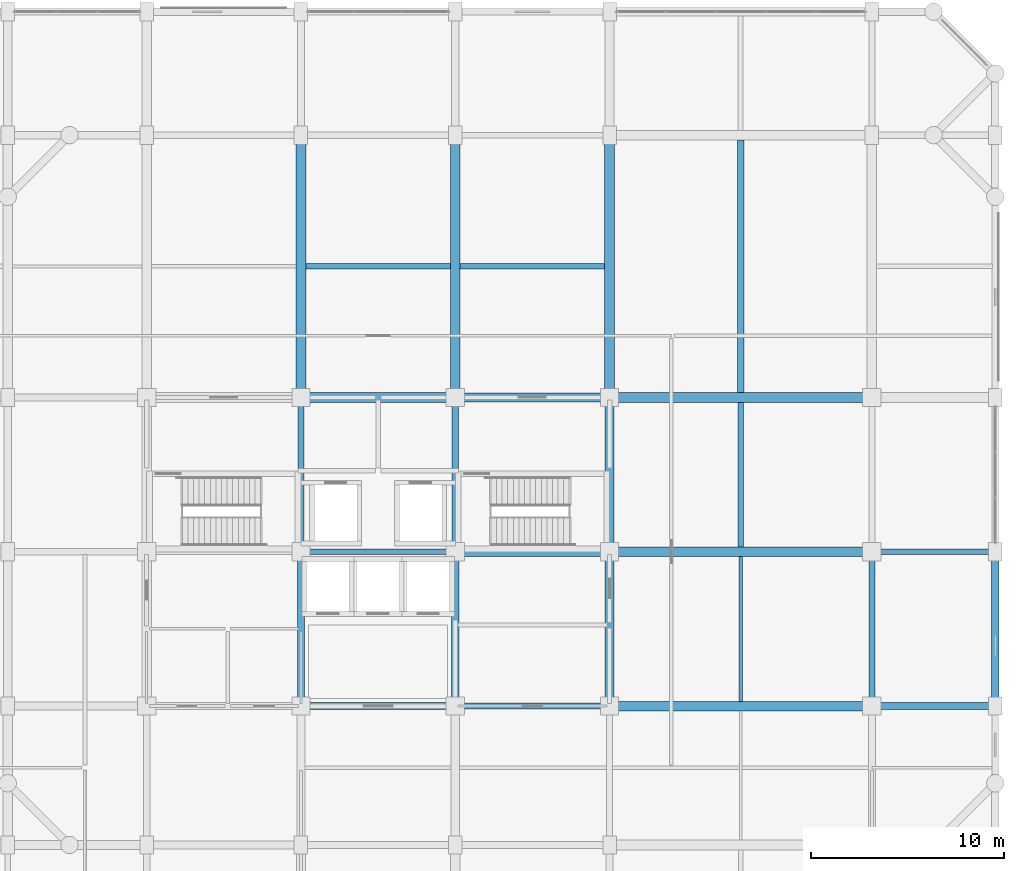
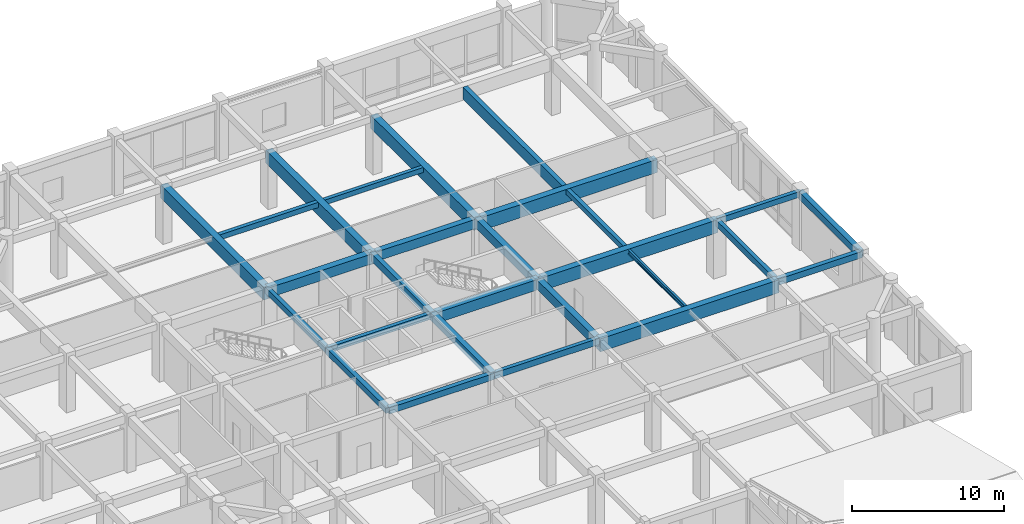
# One storey, part 33 of 61: 27 beams.
"""IFC4 building model written with IfcOpenShell, lengths in metres."""

import ifcopenshell
import ifcopenshell.guid

model = None  # the IFC model being written
_history = None  # IfcOwnerHistory: only IFC2X3 demands one
_inside = {}  # id of a spatial element -> (the spatial element, [elements in it])
_under = {}  # id of a project, library or spatial element -> (it, [spatial elements below it])
_declared = {}  # id of a project -> (the project, [libraries it declares])
_typed = {}  # id of a type object -> (the type object, [elements of that type])
_made_of = {}  # id of a material, layer set ... -> (it, [elements and type objects made of it])


def new_model(schema):
    """Start an empty IFC model of exactly this schema.

    Asked for "IFC4X3", IfcOpenShell would pick the latest addendum, in which some entities
    have other attributes; the version numbers below select the first issue.
    IFC2X3 requires an IfcOwnerHistory on every rooted entity: one is made here for all.
    """
    global model, _history
    if schema == "IFC4X3":
        model = ifcopenshell.file(schema_version=(4, 3, 0, 0))
    else:
        model = ifcopenshell.file(schema=schema)
    _inside.clear()
    _under.clear()
    _declared.clear()
    _typed.clear()
    _made_of.clear()
    _history = None
    if model.schema == "IFC2X3":
        org = make("IfcOrganization", Name="unknown")
        user = make(
            "IfcPersonAndOrganization",
            ThePerson=make("IfcPerson", FamilyName="unknown"),
            TheOrganization=org,
        )
        app = make(
            "IfcApplication",
            ApplicationDeveloper=org,
            Version="unknown",
            ApplicationFullName="unknown",
            ApplicationIdentifier="unknown",
        )
        _history = make(
            "IfcOwnerHistory",
            OwningUser=user,
            OwningApplication=app,
            ChangeAction="ADDED",
            CreationDate=0,
        )
    return model


def make(cls, **values):
    """One entity of the class cls with the attributes given. An attribute that is None is left unset."""
    return model.create_entity(
        cls, **{name: value for name, value in values.items() if value is not None}
    )


def rooted(cls, **values):
    """An entity with a GlobalId (a new one), such as an element, a storey or a relation."""
    return make(cls, GlobalId=ifcopenshell.guid.new(), OwnerHistory=_history, **values)


def si_unit(unit_type, name, prefix=None):
    """IfcSIUnit, for example si_unit("LENGTHUNIT", "METRE", prefix="MILLI")."""
    return make("IfcSIUnit", UnitType=unit_type, Prefix=prefix, Name=name)


def assignment(units):
    """IfcUnitAssignment: the units of a project."""
    return None if units is None else make("IfcUnitAssignment", Units=units)


def point(xyz):
    """IfcCartesianPoint."""
    return None if xyz is None else make("IfcCartesianPoint", Coordinates=xyz)


def direction(xyz):
    """IfcDirection."""
    return None if xyz is None else make("IfcDirection", DirectionRatios=xyz)


def frame(location, z_axis=None, x_axis=None):
    """IfcAxis2Placement3D, a coordinate frame: its origin and axes. An axis left out is left unset."""
    return make(
        "IfcAxis2Placement3D",
        Location=point(location),
        Axis=direction(z_axis),
        RefDirection=direction(x_axis),
    )


def frame_2d(location, x_axis=None):
    """IfcAxis2Placement2D, a coordinate frame in the plane: its origin and x axis."""
    return make(
        "IfcAxis2Placement2D", Location=point(location), RefDirection=direction(x_axis)
    )


def origin():
    """The frame at (0, 0, 0) with its axes left unset."""
    return frame((0.0, 0.0, 0.0))


def origin_2d():
    """The frame at (0, 0) in the plane with its x axis left unset."""
    return frame_2d((0.0, 0.0))


def place(relative_to, where):
    """IfcLocalPlacement: puts the frame where relative to a parent placement (None: the world)."""
    return make(
        "IfcLocalPlacement", PlacementRelTo=relative_to, RelativePlacement=where
    )


def context(
    kind, dimensions, precision=None, world=None, true_north=None, identifier=None
):
    """IfcGeometricRepresentationContext, for example the 3D "Model" context."""
    return make(
        "IfcGeometricRepresentationContext",
        ContextIdentifier=identifier,
        ContextType=kind,
        CoordinateSpaceDimension=dimensions,
        Precision=precision,
        WorldCoordinateSystem=world,
        TrueNorth=true_north,
    )


def subcontext(parent, identifier, kind, view, scale=None):
    """IfcGeometricRepresentationSubContext, for example "Body" below "Model"."""
    return make(
        "IfcGeometricRepresentationSubContext",
        ContextIdentifier=identifier,
        ContextType=kind,
        ParentContext=parent,
        TargetScale=scale,
        TargetView=view,
    )


def project(units=None, contexts=None):
    """IfcProject with its units and contexts."""
    return rooted(
        "IfcProject",
        Name="project",
        RepresentationContexts=contexts,
        UnitsInContext=assignment(units),
    )


def spatial(cls, under=None, at=None, **own):
    """A site, building, storey or space (cls), placed at a placement, below another one or the project."""
    s = rooted(cls, ObjectPlacement=at, **own)
    if under is not None:
        _under.setdefault(under.id(), (under, []))[1].append(s)
    return s


def profile(cls, at=None, kind="AREA", **sizes):
    """A parametric profile (cls). Its sizes go by their IFC names, for example OverallWidth=200.0."""
    return make(cls, ProfileType=kind, Position=at, **sizes)


def rectangle(**sizes):
    """IfcRectangleProfileDef."""
    return profile("IfcRectangleProfileDef", **sizes)


def i_section(**sizes):
    """IfcIShapeProfileDef."""
    return profile("IfcIShapeProfileDef", **sizes)


def extrude(swept, where, along, depth):
    """IfcExtrudedAreaSolid: the profile swept, set in the frame where, extruded along a direction by depth."""
    return make(
        "IfcExtrudedAreaSolid",
        SweptArea=swept,
        Position=where,
        ExtrudedDirection=direction(along),
        Depth=depth,
    )


def shape(context_of_items, identifier, shape_type, items):
    """IfcShapeRepresentation: the items that make up one representation, for example the "Body"."""
    return make(
        "IfcShapeRepresentation",
        ContextOfItems=context_of_items,
        RepresentationIdentifier=identifier,
        RepresentationType=shape_type,
        Items=items,
    )


def material(Name=None, Category=None):
    """IfcMaterial."""
    return make("IfcMaterial", Name=Name, Category=Category)


def material_profile(
    of_material, cross_section, Name=None, Category=None, Priority=None
):
    """IfcMaterialProfile: a cross section and its material."""
    return make(
        "IfcMaterialProfile",
        Name=Name,
        Material=of_material,
        Profile=cross_section,
        Priority=Priority,
        Category=Category,
    )


def profile_set(profiles, Name=None, composite=None):
    """IfcMaterialProfileSet."""
    return make(
        "IfcMaterialProfileSet",
        Name=Name,
        MaterialProfiles=profiles,
        CompositeProfile=composite,
    )


def made_of(thing, what):
    """Note that an element or type object is made of a material, layer set ...; save() writes the relation."""
    if what is not None:
        _made_of.setdefault(what.id(), (what, []))[1].append(thing)
    return thing


def type_object(cls, material=None, **own):
    """A type object (cls), such as IfcWallType, which elements share."""
    return made_of(rooted(cls, **own), material)


def element(
    cls,
    number,
    at=None,
    inside=None,
    cuts=None,
    type_object=None,
    material=None,
    context=None,
    identifier="Body",
    shape_type=None,
    held_by="IfcProductDefinitionShape",
    body=None,
    shapes=None,
    **own,
):
    """One element of the class cls, such as IfcWall. Its Tag is "e" and its number.

    at: its placement. inside: the storey or other place that contains it. cuts: it is an
    opening in that element (IfcRelVoidsElement). A single representation is given by context,
    identifier, shape_type and body (its items); several are given by shapes. held_by: the class
    of the entity that holds the representations. save() writes the other relations.
    """
    e = rooted(cls, Tag="e%d" % number, ObjectPlacement=at, **own)
    if body is not None:
        shapes = [shape(context, identifier, shape_type, body)]
    if shapes is not None:
        e.Representation = make(held_by, Representations=shapes)
    if inside is not None:
        _inside.setdefault(inside.id(), (inside, []))[1].append(e)
    if cuts is not None:
        rooted(
            "IfcRelVoidsElement", RelatingBuildingElement=cuts, RelatedOpeningElement=e
        )
    if type_object is not None:
        _typed.setdefault(type_object.id(), (type_object, []))[1].append(e)
    return made_of(e, material)


def aggregate(whole, parts):
    """IfcRelAggregates: a whole, such as a stair, and the parts it consists of."""
    return rooted("IfcRelAggregates", RelatingObject=whole, RelatedObjects=parts)


def save(model, path):
    """Write the relations noted so far, then the file.

    IfcRelAggregates (storeys below a building ...), IfcRelContainedInSpatialStructure (elements
    in a storey), IfcRelDefinesByType, IfcRelAssociatesMaterial and IfcRelDeclares: one each for
    every whole, place, type object, material and project.
    """
    for whole, parts in _under.values():
        aggregate(whole, parts)
    for where, things in _inside.values():
        rooted(
            "IfcRelContainedInSpatialStructure",
            RelatedElements=things,
            RelatingStructure=where,
        )
    for kind, things in _typed.values():
        rooted("IfcRelDefinesByType", RelatedObjects=things, RelatingType=kind)
    for what, things in _made_of.values():
        rooted("IfcRelAssociatesMaterial", RelatedObjects=things, RelatingMaterial=what)
    for by, libraries in _declared.values():
        rooted("IfcRelDeclares", RelatingContext=by, RelatedDefinitions=libraries)
    model.write(path)


model = new_model("IFC4")

# Units and contexts
model_context = context("Model", 3, precision=1e-05, world=origin(), true_north=direction((0.0, 1.0)))
body_context = subcontext(model_context, "Body", "Model", "MODEL_VIEW")
ifc_project = project(units=[si_unit("LENGTHUNIT", "METRE"), si_unit("AREAUNIT", "SQUARE_METRE"), si_unit("VOLUMEUNIT", "CUBIC_METRE"), si_unit("PLANEANGLEUNIT", "RADIAN"), si_unit("MASSUNIT", "GRAM", prefix="KILO")], contexts=[model_context])

# Site, building, storey
site_placement = place(None, origin())
site = spatial("IfcSite", under=ifc_project, at=site_placement, CompositionType="ELEMENT")
building_placement = place(site_placement, origin())
building = spatial("IfcBuilding", under=site, at=building_placement, Name="Vellmiral Cinema and Media Centre", CompositionType="ELEMENT")
storey_placement = place(building_placement, frame((0.0, 0.0, 10.800048828125)))
storey = spatial("IfcBuildingStorey", under=building, at=storey_placement, Name="L02", CompositionType="ELEMENT", Elevation=10.800048828125)

# Beams
ifc_material_1 = material(Name="Concrete C40/50", Category="concrete")
ifc_material_profile_1 = material_profile(ifc_material_1, rectangle(XDim=0.300048828125, YDim=0.449951171875, at=origin_2d()), Name="RC 300x450")
ifc_profile_set_1 = profile_set([ifc_material_profile_1], Name="Concrete C40/50")
beam_type_1 = type_object("IfcBeamType", Name="BM-RC-300x450", PredefinedType="BEAM", material=ifc_profile_set_1)
beam_1_placement = place(storey_placement, frame((132.0, 87.199951171875, 4.27001953125), z_axis=(1.0, 0.0, 0.0), x_axis=(0.0, 1.0, 0.0)))
element("IfcBeam", 1, at=beam_1_placement, inside=storey, type_object=beam_type_1, Name="Grid Beam L02-X069", PredefinedType="BEAM", context=body_context, shape_type="SweptSolid", body=[
    extrude(rectangle(XDim=0.300048828125, YDim=0.449951171875, at=origin_2d()), origin(), (0.0, 0.0, 1.0), 8.0),
])
beam_2_placement = place(storey_placement, frame((161.60009765625, 87.199951171875, 4.27001953125), z_axis=(1.0, 0.0, 0.0), x_axis=(0.0, 1.0, 0.0)))
element("IfcBeam", 2, at=beam_2_placement, inside=storey, type_object=beam_type_1, Name="Grid Beam L02-X072", PredefinedType="BEAM", context=body_context, shape_type="SweptSolid", body=[
    extrude(rectangle(XDim=0.300048828125, YDim=0.449951171875, at=origin_2d()), origin(), (0.0, 0.0, 1.0), 6.39990234375),
])
ifc_material_2 = material(Name="Concrete C40/50", Category="concrete")
ifc_material_profile_2 = material_profile(ifc_material_2, rectangle(XDim=0.300048828125, YDim=0.5, at=origin_2d()), Name="RC 300x500")
ifc_profile_set_2 = profile_set([ifc_material_profile_2], Name="Concrete C40/50")
beam_type_2 = type_object("IfcBeamType", Name="BM-RC-300x500", PredefinedType="BEAM", material=ifc_profile_set_2)
for number, where, z_axis, x_axis, name in (
    (3, (140.0, 79.199951171875, 4.244873046875), (1.0, 0.0, 0.0), (0.0, 1.0, 0.0), "Grid Beam L02-X057"),
    (4, (132.0, 87.199951171875, 4.244873046875), (0.0, 1.0, 0.0), (-1.0, 0.0, 0.0), "Grid Beam L02-Y167"),
    (5, (161.60009765625, 79.199951171875, 4.244873046875), (0.0, 1.0, 0.0), (-1.0, 0.0, 0.0), "Grid Beam L02-Y189"),
):
    element("IfcBeam", number, at=place(storey_placement, frame(where, z_axis=z_axis, x_axis=x_axis)), inside=storey, type_object=beam_type_2, Name=name, PredefinedType="BEAM", context=body_context, shape_type="SweptSolid", body=[
        extrude(rectangle(XDim=0.300048828125, YDim=0.5, at=origin_2d()), origin(), (0.0, 0.0, 1.0), 8.0),
    ])
ifc_material_3 = material(Name="Concrete C40/50", Category="concrete")
ifc_material_profile_3 = material_profile(ifc_material_3, rectangle(XDim=0.35009765625, YDim=0.5, at=origin_2d()), Name="RC 350x500")
ifc_profile_set_3 = profile_set([ifc_material_profile_3], Name="Concrete C40/50")
beam_type_3 = type_object("IfcBeamType", Name="BM-RC-350x500", PredefinedType="BEAM", material=ifc_profile_set_3)
beam_3_placement = place(storey_placement, frame((132.0, 79.199951171875, 4.244873046875), z_axis=(1.0, 0.0, 0.0), x_axis=(0.0, 1.0, 0.0)))
element("IfcBeam", 6, at=beam_3_placement, inside=storey, type_object=beam_type_3, Name="Grid Beam L02-X056", PredefinedType="BEAM", context=body_context, shape_type="SweptSolid", body=[
    extrude(rectangle(XDim=0.35009765625, YDim=0.5, at=origin_2d()), origin(), (0.0, 0.0, 1.0), 8.0),
])
beam_4_placement = place(storey_placement, frame((161.60009765625, 79.199951171875, 4.244873046875), z_axis=(1.0, 0.0, 0.0), x_axis=(0.0, 1.0, 0.0)))
element("IfcBeam", 7, at=beam_4_placement, inside=storey, type_object=beam_type_3, Name="Grid Beam L02-X059", PredefinedType="BEAM", context=body_context, shape_type="SweptSolid", body=[
    extrude(rectangle(XDim=0.35009765625, YDim=0.5, at=origin_2d()), origin(), (0.0, 0.0, 1.0), 6.39990234375),
])
beam_5_placement = place(storey_placement, frame((132.0, 79.199951171875, 4.244873046875), z_axis=(0.0, 1.0, 0.0), x_axis=(-1.0, 0.0, 0.0)))
element("IfcBeam", 8, at=beam_5_placement, inside=storey, type_object=beam_type_3, Name="Grid Beam L02-Y166", PredefinedType="BEAM", context=body_context, shape_type="SweptSolid", body=[
    extrude(rectangle(XDim=0.35009765625, YDim=0.5, at=origin_2d()), origin(), (0.0, 0.0, 1.0), 8.0),
])
ifc_material_4 = material(Name="Concrete C40/50", Category="concrete")
ifc_material_profile_4 = material_profile(ifc_material_4, rectangle(XDim=0.35009765625, YDim=0.60009765625, at=origin_2d()), Name="RC 350x600")
ifc_profile_set_4 = profile_set([ifc_material_profile_4], Name="Concrete C40/50")
beam_type_4 = type_object("IfcBeamType", Name="BM-RC-350x600", PredefinedType="BEAM", material=ifc_profile_set_4)
beam_6_placement = place(storey_placement, frame((140.0, 87.199951171875, 4.195068359375), z_axis=(0.0, 1.0, 0.0), x_axis=(-1.0, 0.0, 0.0)))
element("IfcBeam", 9, at=beam_6_placement, inside=storey, type_object=beam_type_4, Name="Grid Beam L02-Y175", PredefinedType="BEAM", context=body_context, shape_type="SweptSolid", body=[
    extrude(rectangle(XDim=0.35009765625, YDim=0.60009765625, at=origin_2d()), origin(), (0.0, 0.0, 1.0), 8.0),
])
ifc_material_5 = material(Name="Concrete C40/50", Category="concrete")
ifc_material_profile_5 = material_profile(ifc_material_5, rectangle(XDim=0.39990234375, YDim=0.60009765625, at=origin_2d()), Name="RC 400x600")
ifc_profile_set_5 = profile_set([ifc_material_profile_5], Name="Concrete C40/50")
beam_type_5 = type_object("IfcBeamType", Name="BM-RC-400x600", PredefinedType="BEAM", material=ifc_profile_set_5)
beam_7_placement = place(storey_placement, frame((140.0, 79.199951171875, 4.195068359375), z_axis=(0.0, 1.0, 0.0), x_axis=(-1.0, 0.0, 0.0)))
element("IfcBeam", 10, at=beam_7_placement, inside=storey, type_object=beam_type_5, Name="Grid Beam L02-Y174", PredefinedType="BEAM", context=body_context, shape_type="SweptSolid", body=[
    extrude(rectangle(XDim=0.39990234375, YDim=0.60009765625, at=origin_2d()), origin(), (0.0, 0.0, 1.0), 8.0),
])
ifc_material_6 = material(Name="Concrete C40/50", Category="concrete")
ifc_material_profile_6 = material_profile(ifc_material_6, rectangle(XDim=0.449951171875, YDim=0.699951171875, at=origin_2d()), Name="RC 450x700")
ifc_profile_set_6 = profile_set([ifc_material_profile_6], Name="Concrete C40/50")
beam_type_6 = type_object("IfcBeamType", Name="BM-RC-450x700", PredefinedType="BEAM", material=ifc_profile_set_6)
beam_8_placement = place(storey_placement, frame((148.0, 87.199951171875, 4.14501953125), z_axis=(0.0, 1.0, 0.0), x_axis=(-1.0, 0.0, 0.0)))
element("IfcBeam", 11, at=beam_8_placement, inside=storey, type_object=beam_type_6, Name="Grid Beam L02-Y183", PredefinedType="BEAM", context=body_context, shape_type="SweptSolid", body=[
    extrude(rectangle(XDim=0.449951171875, YDim=0.699951171875, at=origin_2d()), origin(), (0.0, 0.0, 1.0), 8.0),
])
ifc_material_7 = material(Name="Concrete C40/50", Category="concrete")
ifc_material_profile_7 = material_profile(ifc_material_7, rectangle(XDim=0.449951171875, YDim=0.75, at=origin_2d()), Name="RC 450x750")
ifc_profile_set_7 = profile_set([ifc_material_profile_7], Name="Concrete C40/50")
beam_type_7 = type_object("IfcBeamType", Name="BM-RC-450x750", PredefinedType="BEAM", material=ifc_profile_set_7)
for number, where, z_axis, x_axis, name in (
    (12, (140.0, 95.199951171875, 4.119873046875), (1.0, 0.0, 0.0), (0.0, 1.0, 0.0), "Grid Beam L02-X083"),
    (13, (148.0, 79.199951171875, 4.119873046875), (0.0, 1.0, 0.0), (-1.0, 0.0, 0.0), "Grid Beam L02-Y182"),
):
    element("IfcBeam", number, at=place(storey_placement, frame(where, z_axis=z_axis, x_axis=x_axis)), inside=storey, type_object=beam_type_7, Name=name, PredefinedType="BEAM", context=body_context, shape_type="SweptSolid", body=[
        extrude(rectangle(XDim=0.449951171875, YDim=0.75, at=origin_2d()), origin(), (0.0, 0.0, 1.0), 8.0),
    ])
ifc_material_8 = material(Name="Concrete C40/50", Category="concrete")
ifc_material_profile_8 = material_profile(ifc_material_8, rectangle(XDim=0.5, YDim=0.800048828125, at=origin_2d()), Name="RC 500x800")
ifc_profile_set_8 = profile_set([ifc_material_profile_8], Name="Concrete C40/50")
beam_type_8 = type_object("IfcBeamType", Name="BM-RC-500x800", PredefinedType="BEAM", material=ifc_profile_set_8)
beam_9_placement = place(storey_placement, frame((132.0, 95.199951171875, 4.094970703125), z_axis=(1.0, 0.0, 0.0), x_axis=(0.0, 1.0, 0.0)))
element("IfcBeam", 14, at=beam_9_placement, inside=storey, type_object=beam_type_8, Name="Grid Beam L02-X082", PredefinedType="BEAM", context=body_context, shape_type="SweptSolid", body=[
    extrude(rectangle(XDim=0.5, YDim=0.800048828125, at=origin_2d()), origin(), (0.0, 0.0, 1.0), 8.0),
])
ifc_material_9 = material(Name="Concrete C40/50", Category="concrete")
ifc_material_profile_9 = material_profile(ifc_material_9, rectangle(XDim=0.5, YDim=0.85009765625, at=origin_2d()), Name="RC 500x850")
ifc_profile_set_9 = profile_set([ifc_material_profile_9], Name="Concrete C40/50")
beam_type_9 = type_object("IfcBeamType", Name="BM-RC-500x850", PredefinedType="BEAM", material=ifc_profile_set_9)
beam_10_placement = place(storey_placement, frame((140.0, 87.199951171875, 4.070068359375), z_axis=(1.0, 0.0, 0.0), x_axis=(0.0, 1.0, 0.0)))
element("IfcBeam", 15, at=beam_10_placement, inside=storey, type_object=beam_type_9, Name="Grid Beam L02-X070", PredefinedType="BEAM", context=body_context, shape_type="SweptSolid", body=[
    extrude(rectangle(XDim=0.5, YDim=0.85009765625, at=origin_2d()), origin(), (0.0, 0.0, 1.0), 8.0),
])
ifc_material_10 = material(Name="Concrete C40/50", Category="concrete")
ifc_material_profile_10 = material_profile(ifc_material_10, rectangle(XDim=0.5, YDim=1.050048828125, at=origin_2d()), Name="RC 500x1050")
ifc_profile_set_10 = profile_set([ifc_material_profile_10], Name="Concrete C40/50")
beam_type_10 = type_object("IfcBeamType", Name="BM-RCG-500x1050", PredefinedType="BEAM", material=ifc_profile_set_10)
for number, where, z_axis, x_axis, name in (
    (16, (148.0, 79.199951171875, 3.969970703125), (1.0, 0.0, 0.0), (0.0, 1.0, 0.0), "Grid Beam L02-X058"),
    (17, (148.0, 87.199951171875, 3.969970703125), (1.0, 0.0, 0.0), (0.0, 1.0, 0.0), "Grid Beam L02-X071"),
    (18, (148.0, 95.199951171875, 3.969970703125), (1.0, 0.0, 0.0), (0.0, 1.0, 0.0), "Grid Beam L02-X084"),
    (19, (132.0, 95.199951171875, 3.969970703125), (0.0, 1.0, 0.0), (-1.0, 0.0, 0.0), "Grid Beam L02-Y168"),
    (20, (140.0, 95.199951171875, 3.969970703125), (0.0, 1.0, 0.0), (-1.0, 0.0, 0.0), "Grid Beam L02-Y176"),
    (21, (148.0, 95.199951171875, 3.969970703125), (0.0, 1.0, 0.0), (-1.0, 0.0, 0.0), "Grid Beam L02-Y184"),
):
    element("IfcBeam", number, at=place(storey_placement, frame(where, z_axis=z_axis, x_axis=x_axis)), inside=storey, type_object=beam_type_10, Name=name, PredefinedType="BEAM", context=body_context, shape_type="SweptSolid", body=[
        extrude(rectangle(XDim=0.5, YDim=1.050048828125, at=origin_2d()), origin(), (0.0, 0.0, 1.0), 13.60009765625),
    ])
ifc_material_11 = material(Name="Concrete C40/50", Category="concrete")
ifc_material_profile_11 = material_profile(ifc_material_11, rectangle(XDim=0.280029296875, YDim=0.39990234375, at=origin_2d()), Name="RC 280x400")
ifc_profile_set_11 = profile_set([ifc_material_profile_11], Name="Concrete C40/50")
beam_type_11 = type_object("IfcBeamType", Name="JST-RC-280x400", PredefinedType="JOIST", material=ifc_profile_set_11)
beam_11_placement = place(storey_placement, frame((140.25, 102.0, 4.294921875), z_axis=(1.0, 0.0, 0.0), x_axis=(0.0, 1.0, 0.0)))
element("IfcBeam", 22, at=beam_11_placement, inside=storey, type_object=beam_type_11, Name="Secondary Floor Joist L02-017", PredefinedType="JOIST", context=body_context, shape_type="SweptSolid", body=[
    extrude(rectangle(XDim=0.280029296875, YDim=0.39990234375, at=origin_2d()), origin(), (0.0, 0.0, 1.0), 7.5),
])
ifc_material_12 = material(Name="Concrete C40/50", Category="concrete")
ifc_material_profile_12 = material_profile(ifc_material_12, rectangle(XDim=0.300048828125, YDim=0.419921875, at=origin_2d()), Name="RC 300x420")
ifc_profile_set_12 = profile_set([ifc_material_profile_12], Name="Concrete C40/50")
beam_type_12 = type_object("IfcBeamType", Name="JST-RC-300x420", PredefinedType="JOIST", material=ifc_profile_set_12)
for number, where, z_axis, x_axis, name in (
    (23, (132.25, 102.0, 4.284912109375), (1.0, 0.0, 0.0), (0.0, 1.0, 0.0), "Secondary Floor Joist L02-016"),
    (24, (154.800048828125, 87.449951171875, 4.284912109375), (0.0, 1.0, 0.0), (-1.0, 0.0, 0.0), "Secondary Floor Joist L02-022"),
):
    element("IfcBeam", number, at=place(storey_placement, frame(where, z_axis=z_axis, x_axis=x_axis)), inside=storey, type_object=beam_type_12, Name=name, PredefinedType="JOIST", context=body_context, shape_type="SweptSolid", body=[
        extrude(rectangle(XDim=0.300048828125, YDim=0.419921875, at=origin_2d()), origin(), (0.0, 0.0, 1.0), 7.5),
    ])
ifc_material_13 = material(Name="Concrete C40/50", Category="concrete")
ifc_material_profile_13 = material_profile(ifc_material_13, rectangle(XDim=0.35009765625, YDim=0.949951171875, at=origin_2d()), Name="RC 350x950")
ifc_profile_set_13 = profile_set([ifc_material_profile_13], Name="Concrete C40/50")
beam_type_13 = type_object("IfcBeamType", Name="JST-RCG-350x950", PredefinedType="JOIST", material=ifc_profile_set_13)
beam_12_placement = place(storey_placement, frame((154.800048828125, 95.449951171875, 4.02001953125), z_axis=(0.0, 1.0, 0.0), x_axis=(-1.0, 0.0, 0.0)))
element("IfcBeam", 25, at=beam_12_placement, inside=storey, type_object=beam_type_13, Name="Secondary Floor Joist L02-023", PredefinedType="JOIST", context=body_context, shape_type="SweptSolid", body=[
    extrude(rectangle(XDim=0.35009765625, YDim=0.949951171875, at=origin_2d()), origin(), (0.0, 0.0, 1.0), 13.10009765625),
])
ifc_material_14 = material(Name="Steel S355", Category="steel")
ifc_material_profile_14 = material_profile(ifc_material_14, i_section(OverallWidth=0.169921875, OverallDepth=0.360107421875, WebThickness=0.008056640625, FlangeThickness=0.0126953125, FilletRadius=0.01806640625, at=origin_2d()), Name="IPE 360")
ifc_profile_set_14 = profile_set([ifc_material_profile_14], Name="Steel S355")
beam_type_14 = type_object("IfcBeamType", Name="SBM-IPE360", PredefinedType="JOIST", material=ifc_profile_set_14)
beam_13_placement = place(storey_placement, frame((154.800048828125, 79.449951171875, 4.31494140625), z_axis=(0.0, 1.0, 0.0), x_axis=(-1.0, 0.0, 0.0)))
element("IfcBeam", 26, at=beam_13_placement, inside=storey, type_object=beam_type_14, Name="Secondary Floor Joist L02-021", PredefinedType="JOIST", context=body_context, shape_type="SweptSolid", body=[
    extrude(i_section(OverallWidth=0.169921875, OverallDepth=0.360107421875, WebThickness=0.008056640625, FlangeThickness=0.0126953125, FilletRadius=0.01806640625, at=origin_2d()), origin(), (0.0, 0.0, 1.0), 7.5),
])
ifc_material_15 = material(Name="Vosges Red Sandstone Masonry", Category="masonry")
ifc_material_profile_15 = material_profile(ifc_material_15, rectangle(XDim=0.3798828125, YDim=0.580078125, at=origin_2d()), Name="SAND 380x580")
ifc_profile_set_15 = profile_set([ifc_material_profile_15], Name="Vosges Red Sandstone Masonry")
beam_type_15 = type_object("IfcBeamType", Name="SPD-SAND-380x580", PredefinedType="SPANDREL", material=ifc_profile_set_15)
beam_14_placement = place(storey_placement, frame((168.0, 79.199951171875, 4.204833984375), z_axis=(0.0, 1.0, 0.0), x_axis=(-1.0, 0.0, 0.0)))
element("IfcBeam", 27, at=beam_14_placement, inside=storey, type_object=beam_type_15, Name="Grid Beam L02-Y195", PredefinedType="SPANDREL", context=body_context, shape_type="SweptSolid", body=[
    extrude(rectangle(XDim=0.3798828125, YDim=0.580078125, at=origin_2d()), origin(), (0.0, 0.0, 1.0), 8.0),
])

save(model, "model.ifc")
